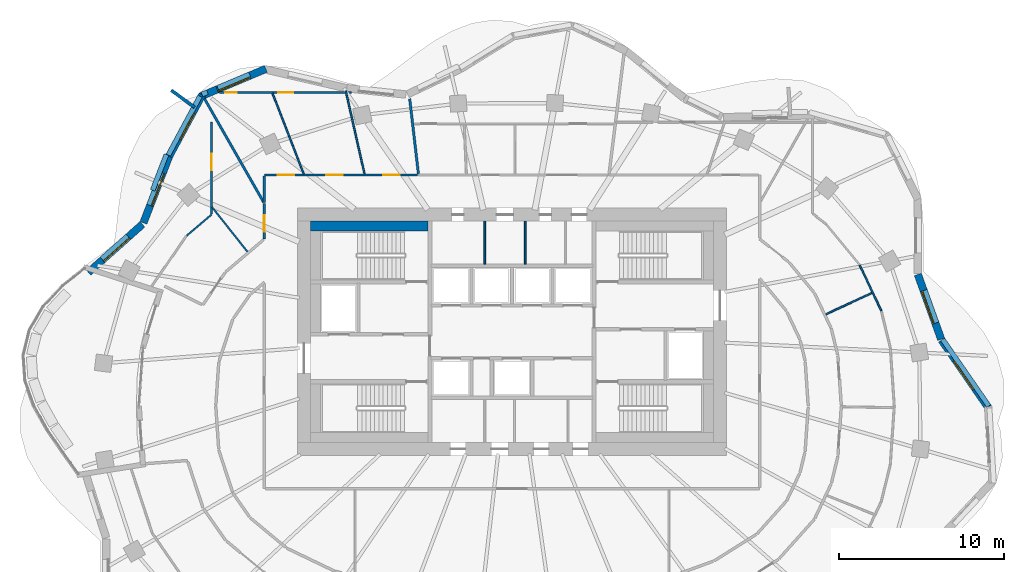
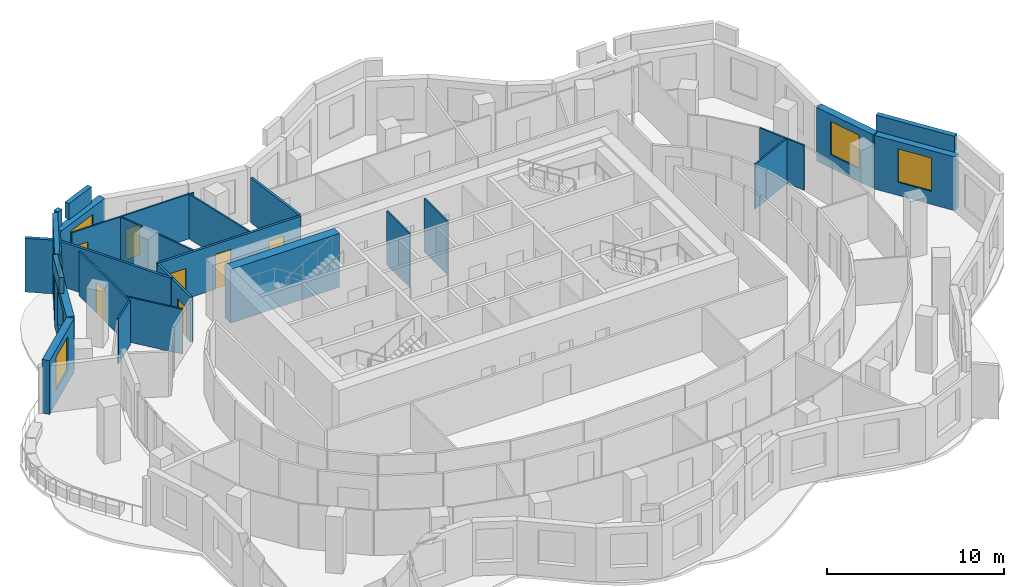
# One storey, part 9 of 13: 28 walls, 7 doors, 6 windows, 13 openings.
"""IFC4 building model written with IfcOpenShell, lengths in metres."""

from ifc_helpers import new_model, si_unit, direction, frame, frame_2d, origin, place, context, subcontext, project, spatial, rectangle, extrude, material, layer, layer_set, type_object, element, fill, save


model = new_model("IFC4")

# Units and contexts
model_context = context("Model", 3, precision=1e-05, world=origin(), true_north=direction((0.0, 1.0)))
body_context = subcontext(model_context, "Body", "Model", "MODEL_VIEW")
ifc_project = project(units=[si_unit("LENGTHUNIT", "METRE"), si_unit("AREAUNIT", "SQUARE_METRE"), si_unit("VOLUMEUNIT", "CUBIC_METRE"), si_unit("PLANEANGLEUNIT", "RADIAN"), si_unit("MASSUNIT", "GRAM", prefix="KILO")], contexts=[model_context])

# Site, building, storey
site_placement = place(None, origin())
site = spatial("IfcSite", under=ifc_project, at=site_placement, CompositionType="ELEMENT")
building_placement = place(site_placement, origin())
building = spatial("IfcBuilding", under=site, at=building_placement, Name="Rubra Terraces Tower", CompositionType="ELEMENT")
storey_placement = place(building_placement, frame((0.0, 0.0, 209.10009765625)))
storey = spatial("IfcBuildingStorey", under=building, at=storey_placement, Name="L51", CompositionType="ELEMENT", Elevation=209.10009765625)

# Wall, opening, window
ifc_material_1 = material(Name="Brick masonry red-brown", Category="masonry")
ifc_layer_1 = layer(ifc_material_1, 0.449951171875)
ifc_layer_set_1 = layer_set([ifc_layer_1], Name="Brick masonry red-brown")
wall_type_1 = type_object("IfcWallType", Name="Brick facade wall 450", PredefinedType="SOLIDWALL", material=ifc_layer_set_1)
wall_1_placement = place(storey_placement, frame((28.87841796875, -0.122802734375, 0.0), z_axis=(0.0, 0.0, 1.0), x_axis=(-0.569394732999, 0.8220642542, 0.0)))
wall_1 = element("IfcWall", 1, at=wall_1_placement, inside=storey, type_object=wall_type_1, Name="Facade wall L51 bay 1", PredefinedType="SOLIDWALL", context=body_context, shape_type="SweptSolid", body=[
    extrude(rectangle(XDim=5.015869140625, YDim=0.449951171875, at=frame_2d((2.5078125, 0.0))), origin(), (0.0, 0.0, 1.0), 3.699951171875),
])
opening_1_placement = place(wall_1_placement, frame((1.4580078125, 0.0, 0.89990234375)))
opening_1 = element("IfcOpeningElement", 2, at=opening_1_placement, cuts=wall_1, Name="Opening W1B", PredefinedType="OPENING", context=body_context, shape_type="SweptSolid", body=[
    extrude(rectangle(XDim=2.10009765625, YDim=2.300048828125, at=frame_2d((1.050048828125, 1.14990234375))), frame((0.0, 0.23486328125, 0.0), z_axis=(0.0, -1.0, 0.0), x_axis=(1.0, 0.0, 0.0)), (0.0, 0.0, 1.0), 0.469970703125),
])
ifc_material_2 = material(Name="Clear glass in aluminium frame", Category="aluminium")
window_type_1 = type_object("IfcWindowType", Name="Fixed deep-set window tall storey 2100 x 2300", PartitioningType="SINGLE_PANEL", PredefinedType="WINDOW", material=ifc_material_2)
window_1_placement = place(opening_1_placement, origin())
window_1 = element("IfcWindow", 3, at=window_1_placement, inside=storey, type_object=window_type_1, Name="Window L51 bay 1", OverallHeight=2.300048828125, OverallWidth=2.10009765625, PartitioningType="SINGLE_PANEL", PredefinedType="WINDOW", context=body_context, shape_type="SweptSolid", body=[
    extrude(rectangle(XDim=2.10009765625, YDim=2.300048828125, at=frame_2d((1.050048828125, 1.14990234375))), frame((0.0, 0.135009765625, 0.0), z_axis=(0.0, -1.0, 0.0), x_axis=(1.0, 0.0, 0.0)), (0.0, 0.0, 1.0), 0.06005859375),
])
fill(opening_1, window_1)

wall_2_placement = place(storey_placement, frame((25.99951171875, 4.047119140625, 0.0), z_axis=(0.0, 0.0, 1.0), x_axis=(-0.338924456066, 0.940813591037, 0.0)))
wall_2 = element("IfcWall", 4, at=wall_2_placement, inside=storey, type_object=wall_type_1, Name="Facade wall L51 bay 2", PredefinedType="SOLIDWALL", context=body_context, shape_type="SweptSolid", body=[
    extrude(rectangle(XDim=4.175048828125, YDim=0.449951171875, at=frame_2d((2.08740234375, 0.0))), origin(), (0.0, 0.0, 1.0), 3.699951171875),
])
opening_2_placement = place(wall_2_placement, frame((1.03759765625, 0.0, 0.89990234375)))
opening_2 = element("IfcOpeningElement", 5, at=opening_2_placement, cuts=wall_2, Name="Opening W1B", PredefinedType="OPENING", context=body_context, shape_type="SweptSolid", body=[
    extrude(rectangle(XDim=2.10009765625, YDim=2.300048828125, at=frame_2d((1.050048828125, 1.14990234375))), frame((0.0, 0.23486328125, 0.0), z_axis=(0.0, -1.0, 0.0), x_axis=(1.0, 0.0, 0.0)), (0.0, 0.0, 1.0), 0.469970703125),
])
window_2_placement = place(opening_2_placement, origin())
window_2 = element("IfcWindow", 6, at=window_2_placement, inside=storey, type_object=window_type_1, Name="Window L51 bay 2", OverallHeight=2.300048828125, OverallWidth=2.10009765625, PartitioningType="SINGLE_PANEL", PredefinedType="WINDOW", context=body_context, shape_type="SweptSolid", body=[
    extrude(rectangle(XDim=2.10009765625, YDim=2.300048828125, at=frame_2d((1.050048828125, 1.14990234375))), frame((0.0, 0.135009765625, 0.0), z_axis=(0.0, -1.0, 0.0), x_axis=(1.0, 0.0, 0.0)), (0.0, 0.0, 1.0), 0.06005859375),
])
fill(opening_2, window_2)

wall_3_placement = place(storey_placement, frame((-14.906494140625, 20.4306640625, 0.0), z_axis=(0.0, 0.0, 1.0), x_axis=(-0.921435803521, -0.388530642279, 0.0)))
wall_3 = element("IfcWall", 7, at=wall_3_placement, inside=storey, type_object=wall_type_1, Name="Facade wall L51 bay 15", PredefinedType="SOLIDWALL", context=body_context, shape_type="SweptSolid", body=[
    extrude(rectangle(XDim=4.308837890625, YDim=0.449951171875, at=frame_2d((2.154296875, 0.0))), origin(), (0.0, 0.0, 1.0), 3.699951171875),
])
opening_3_placement = place(wall_3_placement, frame((1.104248046875, 0.0, 0.89990234375)))
opening_3 = element("IfcOpeningElement", 8, at=opening_3_placement, cuts=wall_3, Name="Opening W1B", PredefinedType="OPENING", context=body_context, shape_type="SweptSolid", body=[
    extrude(rectangle(XDim=2.10009765625, YDim=2.300048828125, at=frame_2d((1.050048828125, 1.14990234375))), frame((0.0, 0.23486328125, 0.0), z_axis=(0.0, -1.0, 0.0), x_axis=(1.0, 0.0, 0.0)), (0.0, 0.0, 1.0), 0.469970703125),
])
window_3_placement = place(opening_3_placement, origin())
window_3 = element("IfcWindow", 9, at=window_3_placement, inside=storey, type_object=window_type_1, Name="Window L51 bay 15", OverallHeight=2.300048828125, OverallWidth=2.10009765625, PartitioningType="SINGLE_PANEL", PredefinedType="WINDOW", context=body_context, shape_type="SweptSolid", body=[
    extrude(rectangle(XDim=2.10009765625, YDim=2.300048828125, at=frame_2d((1.050048828125, 1.14990234375))), frame((0.0, 0.135009765625, 0.0), z_axis=(0.0, -1.0, 0.0), x_axis=(1.0, 0.0, 0.0)), (0.0, 0.0, 1.0), 0.06005859375),
])
fill(opening_3, window_3)

wall_4_placement = place(storey_placement, frame((-18.767333984375, 18.8544921875, 0.0), z_axis=(0.0, 0.0, 1.0), x_axis=(-0.474475888716, -0.880268499395, 0.0)))
wall_4 = element("IfcWall", 10, at=wall_4_placement, inside=storey, type_object=wall_type_1, Name="Facade wall L51 bay 16", PredefinedType="SOLIDWALL", context=body_context, shape_type="SweptSolid", body=[
    extrude(rectangle(XDim=4.21923828125, YDim=0.449951171875, at=frame_2d((2.109619140625, 0.0))), origin(), (0.0, 0.0, 1.0), 3.699951171875),
])
opening_4_placement = place(wall_4_placement, frame((1.209716796875, 0.0, 0.89990234375)))
opening_4 = element("IfcOpeningElement", 11, at=opening_4_placement, cuts=wall_4, Name="Opening W6B", PredefinedType="OPENING", context=body_context, shape_type="SweptSolid", body=[
    extrude(rectangle(XDim=1.800048828125, YDim=2.300048828125, at=frame_2d((0.89990234375, 1.14990234375))), frame((0.0, 0.23486328125, 0.0), z_axis=(0.0, -1.0, 0.0), x_axis=(1.0, 0.0, 0.0)), (0.0, 0.0, 1.0), 0.469970703125),
])
window_type_2 = type_object("IfcWindowType", Name="Fixed deep-set window at wind fin tall storey 1800 x 2300", PartitioningType="SINGLE_PANEL", PredefinedType="WINDOW", material=ifc_material_2)
window_4_placement = place(opening_4_placement, origin())
window_4 = element("IfcWindow", 12, at=window_4_placement, inside=storey, type_object=window_type_2, Name="Window L51 bay 16", OverallHeight=2.300048828125, OverallWidth=1.800048828125, PartitioningType="SINGLE_PANEL", PredefinedType="WINDOW", context=body_context, shape_type="SweptSolid", body=[
    extrude(rectangle(XDim=1.800048828125, YDim=2.300048828125, at=frame_2d((0.89990234375, 1.14990234375))), frame((0.0, 0.135009765625, 0.0), z_axis=(0.0, -1.0, 0.0), x_axis=(1.0, 0.0, 0.0)), (0.0, 0.0, 1.0), 0.06005859375),
])
fill(opening_4, window_4)

wall_5_placement = place(storey_placement, frame((-20.757080078125, 15.166015625, 0.0), z_axis=(0.0, 0.0, 1.0), x_axis=(-0.360067043581, -0.932926430179, 0.0)))
wall_5 = element("IfcWall", 13, at=wall_5_placement, inside=storey, type_object=wall_type_1, Name="Facade wall L51 bay 17", PredefinedType="SOLIDWALL", context=body_context, shape_type="SweptSolid", body=[
    extrude(rectangle(XDim=4.35986328125, YDim=0.449951171875, at=frame_2d((2.179931640625, 0.0))), origin(), (0.0, 0.0, 1.0), 3.699951171875),
])
opening_5_placement = place(wall_5_placement, frame((1.1298828125, 0.0, 0.89990234375)))
opening_5 = element("IfcOpeningElement", 14, at=opening_5_placement, cuts=wall_5, Name="Opening W1B", PredefinedType="OPENING", context=body_context, shape_type="SweptSolid", body=[
    extrude(rectangle(XDim=2.10009765625, YDim=2.300048828125, at=frame_2d((1.050048828125, 1.14990234375))), frame((0.0, 0.23486328125, 0.0), z_axis=(0.0, -1.0, 0.0), x_axis=(1.0, 0.0, 0.0)), (0.0, 0.0, 1.0), 0.469970703125),
])
window_5_placement = place(opening_5_placement, origin())
window_5 = element("IfcWindow", 15, at=window_5_placement, inside=storey, type_object=window_type_1, Name="Window L51 bay 17", OverallHeight=2.300048828125, OverallWidth=2.10009765625, PartitioningType="SINGLE_PANEL", PredefinedType="WINDOW", context=body_context, shape_type="SweptSolid", body=[
    extrude(rectangle(XDim=2.10009765625, YDim=2.300048828125, at=frame_2d((1.050048828125, 1.14990234375))), frame((0.0, 0.135009765625, 0.0), z_axis=(0.0, -1.0, 0.0), x_axis=(1.0, 0.0, 0.0)), (0.0, 0.0, 1.0), 0.06005859375),
])
fill(opening_5, window_5)

wall_6_placement = place(storey_placement, frame((-22.385986328125, 11.014404296875, 0.0), z_axis=(0.0, 0.0, 1.0), x_axis=(-0.746665374647, -0.665199833361, 0.0)))
wall_6 = element("IfcWall", 16, at=wall_6_placement, inside=storey, type_object=wall_type_1, Name="Facade wall L51 bay 18", PredefinedType="SOLIDWALL", context=body_context, shape_type="SweptSolid", body=[
    extrude(rectangle(XDim=4.384521484375, YDim=0.449951171875, at=frame_2d((2.1923828125, 0.0))), origin(), (0.0, 0.0, 1.0), 3.699951171875),
])
opening_6_placement = place(wall_6_placement, frame((1.14208984375, 0.0, 0.89990234375)))
opening_6 = element("IfcOpeningElement", 17, at=opening_6_placement, cuts=wall_6, Name="Opening W1B", PredefinedType="OPENING", context=body_context, shape_type="SweptSolid", body=[
    extrude(rectangle(XDim=2.10009765625, YDim=2.300048828125, at=frame_2d((1.050048828125, 1.14990234375))), frame((0.0, 0.23486328125, 0.0), z_axis=(0.0, -1.0, 0.0), x_axis=(1.0, 0.0, 0.0)), (0.0, 0.0, 1.0), 0.469970703125),
])
window_6_placement = place(opening_6_placement, origin())
window_6 = element("IfcWindow", 18, at=window_6_placement, inside=storey, type_object=window_type_1, Name="Window L51 bay 18", OverallHeight=2.300048828125, OverallWidth=2.10009765625, PartitioningType="SINGLE_PANEL", PredefinedType="WINDOW", context=body_context, shape_type="SweptSolid", body=[
    extrude(rectangle(XDim=2.10009765625, YDim=2.300048828125, at=frame_2d((1.050048828125, 1.14990234375))), frame((0.0, 0.135009765625, 0.0), z_axis=(0.0, -1.0, 0.0), x_axis=(1.0, 0.0, 0.0)), (0.0, 0.0, 1.0), 0.06005859375),
])
fill(opening_6, window_6)

# Walls
ifc_layer_2 = layer(ifc_material_1, 0.300048828125)
ifc_layer_set_2 = layer_set([ifc_layer_2], Name="Brick masonry red-brown")
wall_type_2 = type_object("IfcWallType", Name="Brick parapet 300", PredefinedType="PARAPET", material=ifc_layer_set_2)
wall_7_placement = place(storey_placement, frame((28.878662109375, 0.008544921875, 3.89990234375), z_axis=(0.0, 0.0, 1.0), x_axis=(-0.569370412902, 0.822081098744, 0.0)))
element("IfcWall", 19, at=wall_7_placement, inside=storey, type_object=wall_type_2, Name="Parapet L51 bay 1", PredefinedType="PARAPET", context=body_context, shape_type="SweptSolid", body=[
    extrude(rectangle(XDim=4.90576171875, YDim=0.300048828125, at=frame_2d((2.452880859375, 0.0))), origin(), (0.0, 0.0, 1.0), 1.10009765625),
])
wall_8_placement = place(storey_placement, frame((-15.890869140625, 20.096923828125, 3.89990234375), z_axis=(0.0, 0.0, 1.0), x_axis=(-0.921468908678, -0.388452121038, 0.0)))
element("IfcWall", 20, at=wall_8_placement, inside=storey, type_object=wall_type_2, Name="Parapet L51 bay 15", PredefinedType="PARAPET", context=body_context, shape_type="SweptSolid", body=[
    extrude(rectangle(XDim=2.09912109375, YDim=0.300048828125, at=frame_2d((1.049560546875, 0.0))), origin(), (0.0, 0.0, 1.0), 1.10009765625),
])
wall_9_placement = place(storey_placement, frame((-18.4462890625, 19.01953125, 3.89990234375), z_axis=(0.0, 0.0, 1.0), x_axis=(-0.921356634102, -0.388718346358, 0.0)))
element("IfcWall", 21, at=wall_9_placement, inside=storey, type_object=wall_type_2, Name="Parapet L51 bay 15.2", PredefinedType="PARAPET", context=body_context, shape_type="SweptSolid", body=[
    extrude(rectangle(XDim=0.363037109375, YDim=0.300048828125, at=frame_2d((0.181640625, 0.0))), origin(), (0.0, 0.0, 1.0), 1.10009765625),
])
wall_10_placement = place(storey_placement, frame((-18.896484375, 18.7734375, 3.89990234375), z_axis=(0.0, 0.0, 1.0), x_axis=(-0.474444905835, -0.880285198857, 0.0)))
element("IfcWall", 22, at=wall_10_placement, inside=storey, type_object=wall_type_2, Name="Parapet L51 bay 16", PredefinedType="PARAPET", context=body_context, shape_type="SweptSolid", body=[
    extrude(rectangle(XDim=4.0498046875, YDim=0.300048828125, at=frame_2d((2.02490234375, 0.0))), origin(), (0.0, 0.0, 1.0), 1.10009765625),
])
wall_11_placement = place(storey_placement, frame((-20.932861328125, 15.236572265625, 3.89990234375), z_axis=(0.0, 0.0, 1.0), x_axis=(-0.360021038217, -0.932944184848, 0.0)))
element("IfcWall", 23, at=wall_11_placement, inside=storey, type_object=wall_type_2, Name="Parapet L51 bay 17", PredefinedType="PARAPET", context=body_context, shape_type="SweptSolid", body=[
    extrude(rectangle(XDim=2.3232421875, YDim=0.300048828125, at=frame_2d((1.16162109375, 0.0))), origin(), (0.0, 0.0, 1.0), 1.10009765625),
])
ifc_layer_3 = layer(ifc_material_1, 0.199951171875)
ifc_layer_set_3 = layer_set([ifc_layer_3], Name="Brick masonry red-brown")
wall_type_3 = type_object("IfcWallType", Name="Brick wind fin 200", PredefinedType="SOLIDWALL", material=ifc_layer_set_3)
wall_12_placement = place(storey_placement, frame((-19.23095703125, 18.09912109375, 0.0), z_axis=(0.0, 0.0, 1.0), x_axis=(-0.806085538754, 0.591799040394, 0.0)))
element("IfcWall", 24, at=wall_12_placement, inside=storey, type_object=wall_type_3, Name="Wind fin L51 10", PredefinedType="SOLIDWALL", context=body_context, shape_type="SweptSolid", body=[
    extrude(rectangle(XDim=1.75, YDim=0.199951171875, at=frame_2d((0.875, 0.0))), origin(), (0.0, 0.0, 1.0), 3.699951171875),
])

# Wall, opening, door
ifc_material_3 = material(Name="Plasterboard on steel stud, mineral wool infill", Category="steel")
ifc_layer_4 = layer(ifc_material_3, 0.14990234375)
ifc_layer_set_4 = layer_set([ifc_layer_4], Name="Plasterboard on steel stud, mineral wool infill")
wall_type_4 = type_object("IfcWallType", Name="CORRIDOR PARTITION 150", PredefinedType="PARTITIONING", material=ifc_layer_set_4)
wall_13_placement = place(storey_placement, frame((-15.0, 12.27294921875, 0.0), z_axis=(0.0, 0.0, 1.0), x_axis=(0.0, -1.0, 0.0)))
wall_13 = element("IfcWall", 25, at=wall_13_placement, inside=storey, type_object=wall_type_4, Name="PARTITION", PredefinedType="PARTITIONING", context=body_context, shape_type="SweptSolid", body=[
    extrude(rectangle(XDim=2.1513671875, YDim=0.14990234375, at=frame_2d((1.07568359375, 0.0))), origin(), (0.0, 0.0, 1.0), 3.083984375),
])
opening_7_placement = place(wall_13_placement, frame((0.699951171875, 0.0, 0.0)))
opening_7 = element("IfcOpeningElement", 26, at=opening_7_placement, cuts=wall_13, Name="Opening 51-101", PredefinedType="OPENING", context=body_context, shape_type="SweptSolid", body=[
    extrude(rectangle(XDim=1.0, YDim=2.10009765625, at=frame_2d((0.5, 1.050048828125))), frame((0.0, 0.0849609375, 0.0), z_axis=(0.0, -1.0, 0.0), x_axis=(1.0, 0.0, 0.0)), (0.0, 0.0, 1.0), 0.169921875),
])
ifc_material_4 = material(Name="Painted timber door leaf", Category="wood")
door_type_1 = type_object("IfcDoorType", Name="ROOM DOOR 1000 X 2100", OperationType="SINGLE_SWING_LEFT", PredefinedType="DOOR", material=ifc_material_4)
door_1_placement = place(opening_7_placement, origin())
door_1 = element("IfcDoor", 27, at=door_1_placement, inside=storey, type_object=door_type_1, Name="DOOR 51-101", OperationType="SINGLE_SWING_RIGHT", OverallHeight=2.10009765625, OverallWidth=1.0, PredefinedType="DOOR", context=body_context, shape_type="SweptSolid", body=[
    extrude(rectangle(XDim=1.0, YDim=2.10009765625, at=frame_2d((0.5, 1.050048828125))), frame((0.0, 0.02490234375, 0.0), z_axis=(0.0, -1.0, 0.0), x_axis=(1.0, 0.0, 0.0)), (0.0, 0.0, 1.0), 0.050048828125),
])
fill(opening_7, door_1)

# Wall, openings, doors
wall_14_placement = place(storey_placement, frame((-5.735107421875, 14.0, 0.0), z_axis=(0.0, 0.0, 1.0), x_axis=(-1.0, 0.0, 0.0)))
wall_14 = element("IfcWall", 28, at=wall_14_placement, inside=storey, type_object=wall_type_4, Name="PARTITION", PredefinedType="PARTITIONING", context=body_context, shape_type="SweptSolid", body=[
    extrude(rectangle(XDim=9.264892578125, YDim=0.14990234375, at=frame_2d((4.63232421875, 0.0))), origin(), (0.0, 0.0, 1.0), 3.083984375),
])
opening_8_placement = place(wall_14_placement, frame((1.053955078125, 0.0, 0.0)))
opening_8 = element("IfcOpeningElement", 29, at=opening_8_placement, cuts=wall_14, Name="Opening 51-117", PredefinedType="OPENING", context=body_context, shape_type="SweptSolid", body=[
    extrude(rectangle(XDim=1.0, YDim=2.10009765625, at=frame_2d((0.5, 1.050048828125))), frame((0.0, 0.0849609375, 0.0), z_axis=(0.0, -1.0, 0.0), x_axis=(1.0, 0.0, 0.0)), (0.0, 0.0, 1.0), 0.169921875),
])
opening_9_placement = place(wall_14_placement, frame((4.51806640625, 0.0, 0.0)))
opening_9 = element("IfcOpeningElement", 30, at=opening_9_placement, cuts=wall_14, Name="Opening 51-118", PredefinedType="OPENING", context=body_context, shape_type="SweptSolid", body=[
    extrude(rectangle(XDim=1.0, YDim=2.39990234375, at=frame_2d((0.5, 1.199951171875))), frame((0.0, 0.0849609375, 0.0), z_axis=(0.0, -1.0, 0.0), x_axis=(1.0, 0.0, 0.0)), (0.0, 0.0, 1.0), 0.169921875),
])
opening_10_placement = place(wall_14_placement, frame((7.449951171875, 0.0, 0.0)))
opening_10 = element("IfcOpeningElement", 31, at=opening_10_placement, cuts=wall_14, Name="Opening 51-127", PredefinedType="OPENING", context=body_context, shape_type="SweptSolid", body=[
    extrude(rectangle(XDim=1.0, YDim=2.10009765625, at=frame_2d((0.5, 1.050048828125))), frame((0.0, 0.0849609375, 0.0), z_axis=(0.0, -1.0, 0.0), x_axis=(1.0, 0.0, 0.0)), (0.0, 0.0, 1.0), 0.169921875),
])
ifc_material_5 = material(Name="Glazed aluminium meeting door leaf", Category="aluminium")
door_type_2 = type_object("IfcDoorType", Name="MEETING ROOM GLAZED DOOR 1000 X 2400", OperationType="SINGLE_SWING_LEFT", PredefinedType="DOOR", material=ifc_material_5)
door_2_placement = place(opening_9_placement, origin())
door_2 = element("IfcDoor", 32, at=door_2_placement, inside=storey, type_object=door_type_2, Name="DOOR 51-118", OperationType="SINGLE_SWING_RIGHT", OverallHeight=2.39990234375, OverallWidth=1.0, PredefinedType="DOOR", context=body_context, shape_type="SweptSolid", body=[
    extrude(rectangle(XDim=1.0, YDim=2.39990234375, at=frame_2d((0.5, 1.199951171875))), frame((0.0, 0.02490234375, 0.0), z_axis=(0.0, -1.0, 0.0), x_axis=(1.0, 0.0, 0.0)), (0.0, 0.0, 1.0), 0.050048828125),
])
fill(opening_9, door_2)
door_3_placement = place(opening_8_placement, origin())
door_3 = element("IfcDoor", 33, at=door_3_placement, inside=storey, type_object=door_type_1, Name="DOOR 51-117", OperationType="SINGLE_SWING_RIGHT", OverallHeight=2.10009765625, OverallWidth=1.0, PredefinedType="DOOR", context=body_context, shape_type="SweptSolid", body=[
    extrude(rectangle(XDim=1.0, YDim=2.10009765625, at=frame_2d((0.5, 1.050048828125))), frame((0.0, 0.02490234375, 0.0), z_axis=(0.0, -1.0, 0.0), x_axis=(1.0, 0.0, 0.0)), (0.0, 0.0, 1.0), 0.050048828125),
])
fill(opening_8, door_3)
door_4_placement = place(opening_10_placement, origin())
door_4 = element("IfcDoor", 34, at=door_4_placement, inside=storey, type_object=door_type_1, Name="DOOR 51-127", OperationType="SINGLE_SWING_RIGHT", OverallHeight=2.10009765625, OverallWidth=1.0, PredefinedType="DOOR", context=body_context, shape_type="SweptSolid", body=[
    extrude(rectangle(XDim=1.0, YDim=2.10009765625, at=frame_2d((0.5, 1.050048828125))), frame((0.0, 0.02490234375, 0.0), z_axis=(0.0, -1.0, 0.0), x_axis=(1.0, 0.0, 0.0)), (0.0, 0.0, 1.0), 0.050048828125),
])
fill(opening_10, door_4)

# Walls
wall_15_placement = place(storey_placement, frame((-15.0, 13.925048828125, 0.0), z_axis=(0.0, 0.0, 1.0), x_axis=(0.0, -1.0, 0.0)))
element("IfcWall", 35, at=wall_15_placement, inside=storey, type_object=wall_type_4, Name="PARTITION", PredefinedType="PARTITIONING", context=body_context, shape_type="SweptSolid", body=[
    extrude(rectangle(XDim=1.5771484375, YDim=0.14990234375, at=frame_2d((0.78857421875, 0.0))), origin(), (0.0, 0.0, 1.0), 3.083984375),
])
ifc_material_6 = material(Name="Concrete C40", Category="concrete")
ifc_layer_5 = layer(ifc_material_6, 0.60009765625)
ifc_layer_set_5 = layer_set([ifc_layer_5], Name="Concrete C40")
wall_type_5 = type_object("IfcWallType", Name="Core lining wall 600 concrete", PredefinedType="SOLIDWALL", material=ifc_layer_set_5)
wall_16_placement = place(storey_placement, frame((-12.199951171875, 10.89990234375, 0.0), z_axis=(0.0, 0.0, 1.0), x_axis=(1.0, 0.0, 0.0)))
element("IfcWall", 36, at=wall_16_placement, inside=storey, type_object=wall_type_5, Name="CORE LINING WALL L51", PredefinedType="SOLIDWALL", context=body_context, shape_type="SweptSolid", body=[
    extrude(rectangle(XDim=7.099853515625, YDim=0.60009765625, at=frame_2d((3.5498046875, 0.0))), origin(), (0.0, 0.0, 1.0), 3.699951171875),
])
ifc_material_7 = material(Name="Plasterboard on steel stud", Category="steel")
ifc_layer_6 = layer(ifc_material_7, 0.10009765625)
ifc_layer_set_6 = layer_set([ifc_layer_6], Name="Plasterboard on steel stud")
wall_type_6 = type_object("IfcWallType", Name="ROOM PARTITION 100", PredefinedType="PARTITIONING", material=ifc_layer_set_6)
wall_17_placement = place(storey_placement, frame((-19.70361328125, 10.326416015625, 0.0), z_axis=(0.0, 0.0, 1.0), x_axis=(0.762375886238, 0.647134459044, 0.0)))
element("IfcWall", 37, at=wall_17_placement, inside=storey, type_object=wall_type_6, Name="PARTITION", PredefinedType="PARTITIONING", context=body_context, shape_type="SweptSolid", body=[
    extrude(rectangle(XDim=1.972412109375, YDim=0.10009765625, at=frame_2d((0.986328125, 0.0))), origin(), (0.0, 0.0, 1.0), 3.083984375),
])

# Wall, opening, door
wall_18_placement = place(storey_placement, frame((-18.199951171875, 11.652587890625, 0.0), z_axis=(0.0, 0.0, 1.0), x_axis=(0.0, 1.0, 0.0)))
wall_18 = element("IfcWall", 38, at=wall_18_placement, inside=storey, type_object=wall_type_6, Name="PARTITION", PredefinedType="PARTITIONING", context=body_context, shape_type="SweptSolid", body=[
    extrude(rectangle(XDim=5.54736328125, YDim=0.10009765625, at=frame_2d((2.773681640625, 0.0))), origin(), (0.0, 0.0, 1.0), 3.083984375),
])
opening_11_placement = place(wall_18_placement, frame((2.6220703125, 0.0, 0.0)))
opening_11 = element("IfcOpeningElement", 39, at=opening_11_placement, cuts=wall_18, Name="Opening 51-102", PredefinedType="OPENING", context=body_context, shape_type="SweptSolid", body=[
    extrude(rectangle(XDim=1.0, YDim=2.10009765625, at=frame_2d((0.5, 1.050048828125))), frame((0.0, 0.06005859375, 0.0), z_axis=(0.0, -1.0, 0.0), x_axis=(1.0, 0.0, 0.0)), (0.0, 0.0, 1.0), 0.1201171875),
])
door_5_placement = place(opening_11_placement, origin())
door_5 = element("IfcDoor", 40, at=door_5_placement, inside=storey, type_object=door_type_1, Name="DOOR 51-102", OperationType="SINGLE_SWING_LEFT", OverallHeight=2.10009765625, OverallWidth=1.0, PredefinedType="DOOR", context=body_context, shape_type="SweptSolid", body=[
    extrude(rectangle(XDim=1.0, YDim=2.10009765625, at=frame_2d((0.5, 1.050048828125))), frame((0.0, 0.02490234375, 0.0), z_axis=(0.0, -1.0, 0.0), x_axis=(1.0, 0.0, 0.0)), (0.0, 0.0, 1.0), 0.050048828125),
])
fill(opening_11, door_5)

# Walls
wall_19_placement = place(storey_placement, frame((-16.02490234375, 9.35009765625, 0.0), z_axis=(0.0, 0.0, 1.0), x_axis=(-0.621358765416, 0.783526186315, 0.0)))
element("IfcWall", 41, at=wall_19_placement, inside=storey, type_object=wall_type_6, Name="PARTITION", PredefinedType="PARTITIONING", context=body_context, shape_type="SweptSolid", body=[
    extrude(rectangle(XDim=3.45068359375, YDim=0.10009765625, at=frame_2d((1.725341796875, 0.0))), origin(), (0.0, 0.0, 1.0), 3.083984375),
])
wall_20_placement = place(storey_placement, frame((21.063720703125, 8.5361328125, 0.0), z_axis=(0.0, 0.0, 1.0), x_axis=(0.428120762572, -0.903721534907, 0.0)))
element("IfcWall", 42, at=wall_20_placement, inside=storey, type_object=wall_type_6, Name="PARTITION", PredefinedType="PARTITIONING", context=body_context, shape_type="SweptSolid", body=[
    extrude(rectangle(XDim=3.049072265625, YDim=0.10009765625, at=frame_2d((1.5244140625, 0.0))), origin(), (0.0, 0.0, 1.0), 3.083984375),
])
wall_21_placement = place(storey_placement, frame((19.013916015625, 5.563720703125, 0.0), z_axis=(0.0, 0.0, 1.0), x_axis=(0.907501094725, 0.420049715002, 0.0)))
element("IfcWall", 43, at=wall_21_placement, inside=storey, type_object=wall_type_6, Name="PARTITION", PredefinedType="PARTITIONING", context=body_context, shape_type="SweptSolid", body=[
    extrude(rectangle(XDim=3.0751953125, YDim=0.10009765625, at=frame_2d((1.53759765625, 0.0))), origin(), (0.0, 0.0, 1.0), 3.083984375),
])

# Wall, openings, doors
wall_22_placement = place(storey_placement, frame((-17.71044921875, 19.0, 0.0), z_axis=(0.0, 0.0, 1.0), x_axis=(1.0, 0.0, 0.0)))
wall_22 = element("IfcWall", 44, at=wall_22_placement, inside=storey, type_object=wall_type_6, Name="PARTITION", PredefinedType="PARTITIONING", context=body_context, shape_type="SweptSolid", body=[
    extrude(rectangle(XDim=7.968017578125, YDim=0.10009765625, at=frame_2d((3.98388671875, 0.0))), origin(), (0.0, 0.0, 1.0), 3.083984375),
])
opening_12_placement = place(wall_22_placement, frame((0.35009765625, 0.0, 0.0)))
opening_12 = element("IfcOpeningElement", 45, at=opening_12_placement, cuts=wall_22, Name="Opening 51-119", PredefinedType="OPENING", context=body_context, shape_type="SweptSolid", body=[
    extrude(rectangle(XDim=0.699951171875, YDim=2.10009765625, at=frame_2d((0.35009765625, 1.050048828125))), frame((0.0, 0.06005859375, 0.0), z_axis=(0.0, -1.0, 0.0), x_axis=(1.0, 0.0, 0.0)), (0.0, 0.0, 1.0), 0.1201171875),
])
opening_13_placement = place(wall_22_placement, frame((3.550048828125, 0.0, 0.0)))
opening_13 = element("IfcOpeningElement", 46, at=opening_13_placement, cuts=wall_22, Name="Opening 51-126", PredefinedType="OPENING", context=body_context, shape_type="SweptSolid", body=[
    extrude(rectangle(XDim=0.89990234375, YDim=2.10009765625, at=frame_2d((0.449951171875, 1.050048828125))), frame((0.0, 0.06005859375, 0.0), z_axis=(0.0, -1.0, 0.0), x_axis=(1.0, 0.0, 0.0)), (0.0, 0.0, 1.0), 0.1201171875),
])
door_type_3 = type_object("IfcDoorType", Name="BATHROOM DOOR 900 X 2100", OperationType="SINGLE_SWING_LEFT", PredefinedType="DOOR", material=ifc_material_4)
door_6_placement = place(opening_13_placement, origin())
door_6 = element("IfcDoor", 47, at=door_6_placement, inside=storey, type_object=door_type_3, Name="DOOR 51-126", OperationType="SINGLE_SWING_LEFT", OverallHeight=2.10009765625, OverallWidth=0.89990234375, PredefinedType="DOOR", context=body_context, shape_type="SweptSolid", body=[
    extrude(rectangle(XDim=0.89990234375, YDim=2.10009765625, at=frame_2d((0.449951171875, 1.050048828125))), frame((0.0, 0.02490234375, 0.0), z_axis=(0.0, -1.0, 0.0), x_axis=(1.0, 0.0, 0.0)), (0.0, 0.0, 1.0), 0.050048828125),
])
fill(opening_13, door_6)
door_type_4 = type_object("IfcDoorType", Name="STORE DOOR 700 X 2100", OperationType="SINGLE_SWING_LEFT", PredefinedType="DOOR", material=ifc_material_4)
door_7_placement = place(opening_12_placement, origin())
door_7 = element("IfcDoor", 48, at=door_7_placement, inside=storey, type_object=door_type_4, Name="DOOR 51-119", OperationType="SINGLE_SWING_LEFT", OverallHeight=2.10009765625, OverallWidth=0.699951171875, PredefinedType="DOOR", context=body_context, shape_type="SweptSolid", body=[
    extrude(rectangle(XDim=0.699951171875, YDim=2.10009765625, at=frame_2d((0.35009765625, 1.050048828125))), frame((0.0, 0.02490234375, 0.0), z_axis=(0.0, -1.0, 0.0), x_axis=(1.0, 0.0, 0.0)), (0.0, 0.0, 1.0), 0.050048828125),
])
fill(opening_12, door_7)

# Walls
wall_23_placement = place(storey_placement, frame((-8.934326171875, 14.0732421875, 0.0), z_axis=(0.0, 0.0, 1.0), x_axis=(-0.22039047917, 0.975411726755, 0.0)))
element("IfcWall", 49, at=wall_23_placement, inside=storey, type_object=wall_type_6, Name="PARTITION", PredefinedType="PARTITIONING", context=body_context, shape_type="SweptSolid", body=[
    extrude(rectangle(XDim=5.1455078125, YDim=0.10009765625, at=frame_2d((2.57275390625, 0.0))), origin(), (0.0, 0.0, 1.0), 3.083984375),
])
wall_24_placement = place(storey_placement, frame((-12.615478515625, 14.06982421875, 0.0), z_axis=(0.0, 0.0, 1.0), x_axis=(-0.361760184265, 0.932271188593, 0.0)))
element("IfcWall", 50, at=wall_24_placement, inside=storey, type_object=wall_type_6, Name="PARTITION", PredefinedType="PARTITIONING", context=body_context, shape_type="SweptSolid", body=[
    extrude(rectangle(XDim=5.23828125, YDim=0.10009765625, at=frame_2d((2.619140625, 0.0))), origin(), (0.0, 0.0, 1.0), 3.083984375),
])
ifc_layer_7 = layer(ifc_material_7, 0.14990234375)
ifc_layer_set_7 = layer_set([ifc_layer_7], Name="Plasterboard on steel stud")
wall_type_7 = type_object("IfcWallType", Name="ROOM PARTITION 150", PredefinedType="PARTITIONING", material=ifc_layer_set_7)
wall_25_placement = place(storey_placement, frame((-18.622314453125, 18.615478515625, 0.0), z_axis=(0.0, 0.0, 1.0), x_axis=(0.495931620355, -0.868361576725, 0.0)))
element("IfcWall", 51, at=wall_25_placement, inside=storey, type_object=wall_type_7, Name="PARTITION", PredefinedType="PARTITIONING", context=body_context, shape_type="SweptSolid", body=[
    extrude(rectangle(XDim=7.229248046875, YDim=0.14990234375, at=frame_2d((3.61474609375, 0.0))), origin(), (0.0, 0.0, 1.0), 3.083984375),
])
wall_26_placement = place(storey_placement, frame((-6.196533203125, 18.616455078125, 0.0), z_axis=(0.0, 0.0, 1.0), x_axis=(0.11538201972, -0.993321191521, 0.0)))
element("IfcWall", 52, at=wall_26_placement, inside=storey, type_object=wall_type_7, Name="PARTITION", PredefinedType="PARTITIONING", context=body_context, shape_type="SweptSolid", body=[
    extrude(rectangle(XDim=4.572509765625, YDim=0.14990234375, at=frame_2d((2.2861328125, 0.0))), origin(), (0.0, 0.0, 1.0), 3.083984375),
])
ifc_material_8 = material(Name="Blockwork", Category="masonry")
ifc_layer_8 = layer(ifc_material_8, 0.10009765625)
ifc_layer_set_8 = layer_set([ifc_layer_8], Name="Blockwork")
wall_type_8 = type_object("IfcWallType", Name="Service partition 100 blockwork", PredefinedType="PARTITIONING", material=ifc_layer_set_8)
for number, where, z_axis, x_axis, name in (
    (53, (-1.64990234375, 8.60009765625, 0.0), (0.0, 0.0, 1.0), (0.0, 1.0, 0.0), "SERVICE ROOM PARTITION L51"),
    (54, (0.800048828125, 8.60009765625, 0.0), (0.0, 0.0, 1.0), (0.0, 1.0, 0.0), "SERVICE ROOM PARTITION L51"),
):
    element("IfcWall", number, at=place(storey_placement, frame(where, z_axis=z_axis, x_axis=x_axis)), inside=storey, type_object=wall_type_8, Name=name, PredefinedType="PARTITIONING", context=body_context, shape_type="SweptSolid", body=[
        extrude(rectangle(XDim=2.599853515625, YDim=0.10009765625, at=frame_2d((1.2998046875, 0.0))), origin(), (0.0, 0.0, 1.0), 3.699951171875),
    ])

save(model, "model.ifc")
